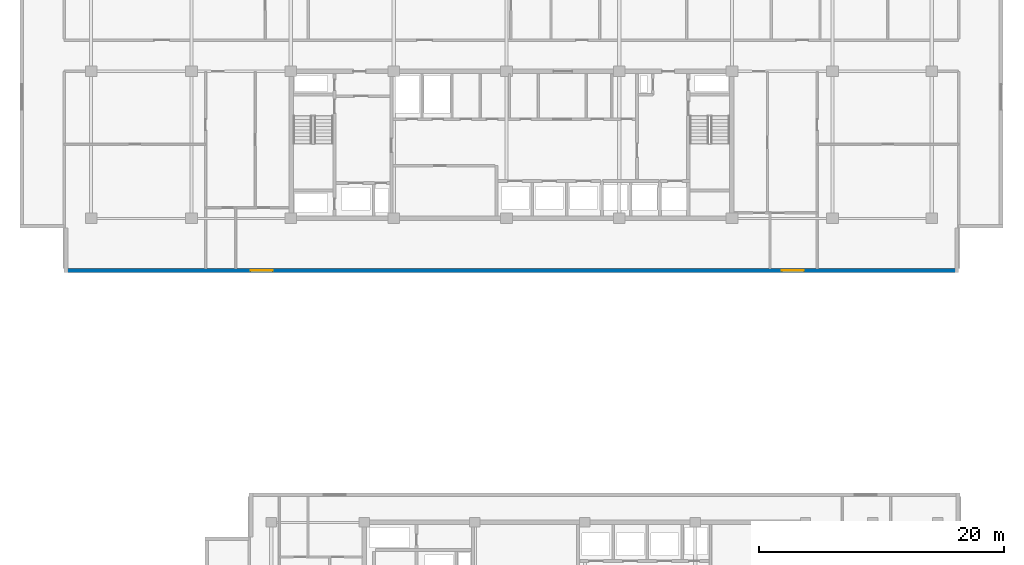
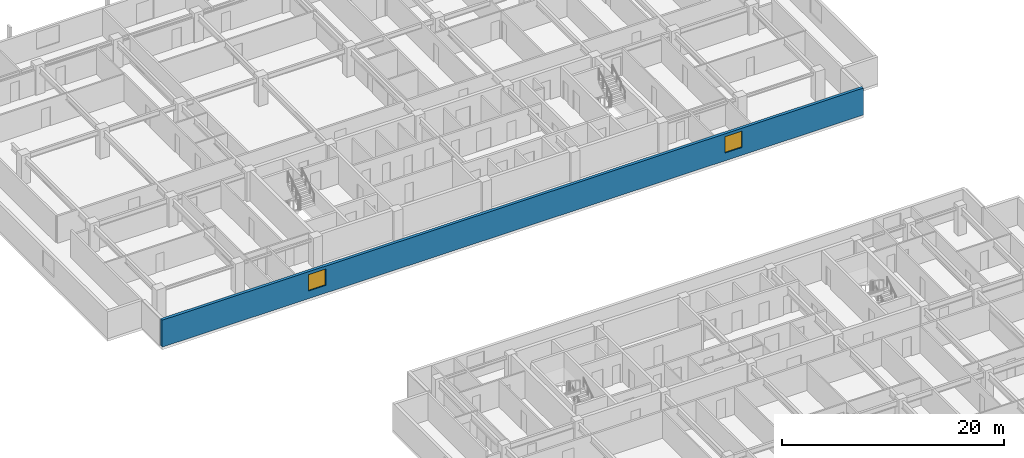
# One storey, part 8 of 21: 2 windows, 1 wall, 2 openings.
"""IFC4 building model written with IfcOpenShell, lengths in metres."""

from ifc_helpers import new_model, si_unit, direction, frame, frame_2d, origin, place, context, subcontext, project, spatial, rectangle, extrude, material, layer, layer_set, type_object, element, fill, save


model = new_model("IFC4")

# Units and contexts
model_context = context("Model", 3, precision=1e-05, world=origin(), true_north=direction((0.0, 1.0)))
body_context = subcontext(model_context, "Body", "Model", "MODEL_VIEW")
ifc_project = project(units=[si_unit("LENGTHUNIT", "METRE"), si_unit("AREAUNIT", "SQUARE_METRE"), si_unit("VOLUMEUNIT", "CUBIC_METRE"), si_unit("PLANEANGLEUNIT", "RADIAN"), si_unit("MASSUNIT", "GRAM", prefix="KILO")], contexts=[model_context])

# Site, building, storey
site_placement = place(None, origin())
site = spatial("IfcSite", under=ifc_project, at=site_placement, CompositionType="ELEMENT")
building_placement = place(site_placement, origin())
building = spatial("IfcBuilding", under=site, at=building_placement, Name="Korimba Cascade Residences", CompositionType="ELEMENT")
storey_placement = place(building_placement, frame((0.0, 0.0, 119.800048828125)))
storey = spatial("IfcBuildingStorey", under=building, at=storey_placement, Name="L34", CompositionType="ELEMENT", Elevation=119.800048828125)

# Wall, openings, windows
ifc_material_1 = material(Name="Precast concrete C40/50", Category="concrete")
ifc_layer = layer(ifc_material_1, 0.300048828125)
ifc_layer_set = layer_set([ifc_layer], Name="Precast concrete C40/50")
wall_type = type_object("IfcWallType", Name="EW-STONE-300", PredefinedType="STANDARD", material=ifc_layer_set)
wall_placement = place(storey_placement, frame((57.60009765625, 50.949951171875, 0.0), z_axis=(0.0, 0.0, 1.0), x_axis=(1.0, 0.0, 0.0)))
wall = element("IfcWall", 1, at=wall_placement, inside=storey, type_object=wall_type, Name="L34 T1 Perimeter Stone Wall E00", PredefinedType="STANDARD", context=body_context, shape_type="SweptSolid", body=[
    extrude(rectangle(XDim=73.0, YDim=0.300048828125, at=frame_2d((36.5, 0.0))), origin(), (0.0, 0.0, 1.0), 2.969970703125),
])
opening_1_placement = place(wall_placement, frame((15.22509765625, 0.0, 0.85009765625)))
opening_1 = element("IfcOpeningElement", 2, at=opening_1_placement, cuts=wall, Name="Opening W-02", PredefinedType="OPENING", context=body_context, shape_type="SweptSolid", body=[
    extrude(rectangle(XDim=1.800048828125, YDim=1.800048828125, at=frame_2d((0.89990234375, 0.89990234375))), frame((0.0, 0.16015625, 0.0), z_axis=(0.0, -1.0, 0.0), x_axis=(1.0, 0.0, 0.0)), (0.0, 0.0, 1.0), 0.320068359375),
])
opening_2_placement = place(wall_placement, frame((58.574951171875, 0.0, 0.85009765625)))
opening_2 = element("IfcOpeningElement", 3, at=opening_2_placement, cuts=wall, Name="Opening W-02", PredefinedType="OPENING", context=body_context, shape_type="SweptSolid", body=[
    extrude(rectangle(XDim=1.800048828125, YDim=1.800048828125, at=frame_2d((0.89990234375, 0.89990234375))), frame((0.0, 0.16015625, 0.0), z_axis=(0.0, -1.0, 0.0), x_axis=(1.0, 0.0, 0.0)), (0.0, 0.0, 1.0), 0.320068359375),
])
ifc_material_2 = material(Name="Double-Glazed Aluminium Window", Category="aluminium")
window_type = type_object("IfcWindowType", Name="WIN-BED-1800", PartitioningType="SINGLE_PANEL", PredefinedType="WINDOW", material=ifc_material_2)
window_1_placement = place(opening_1_placement, origin())
window_1 = element("IfcWindow", 4, at=window_1_placement, inside=storey, type_object=window_type, Name="L34 T1 South Corner Bedroom Window 1", OverallHeight=1.800048828125, OverallWidth=1.800048828125, PartitioningType="SINGLE_PANEL", PredefinedType="WINDOW", context=body_context, shape_type="SweptSolid", body=[
    extrude(rectangle(XDim=1.800048828125, YDim=1.800048828125, at=frame_2d((0.89990234375, 0.89990234375))), frame((0.0, 0.030029296875, 0.0), z_axis=(0.0, -1.0, 0.0), x_axis=(1.0, 0.0, 0.0)), (0.0, 0.0, 1.0), 0.06005859375),
])
fill(opening_1, window_1)
window_2_placement = place(opening_2_placement, origin())
window_2 = element("IfcWindow", 5, at=window_2_placement, inside=storey, type_object=window_type, Name="L34 T1 South Corner Bedroom Window 2", OverallHeight=1.800048828125, OverallWidth=1.800048828125, PartitioningType="SINGLE_PANEL", PredefinedType="WINDOW", context=body_context, shape_type="SweptSolid", body=[
    extrude(rectangle(XDim=1.800048828125, YDim=1.800048828125, at=frame_2d((0.89990234375, 0.89990234375))), frame((0.0, 0.030029296875, 0.0), z_axis=(0.0, -1.0, 0.0), x_axis=(1.0, 0.0, 0.0)), (0.0, 0.0, 1.0), 0.06005859375),
])
fill(opening_2, window_2)

save(model, "model.ifc")
